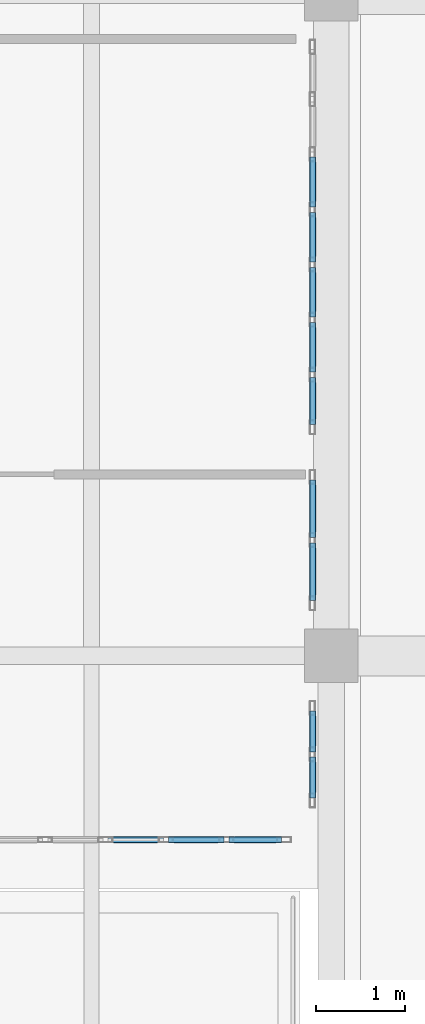
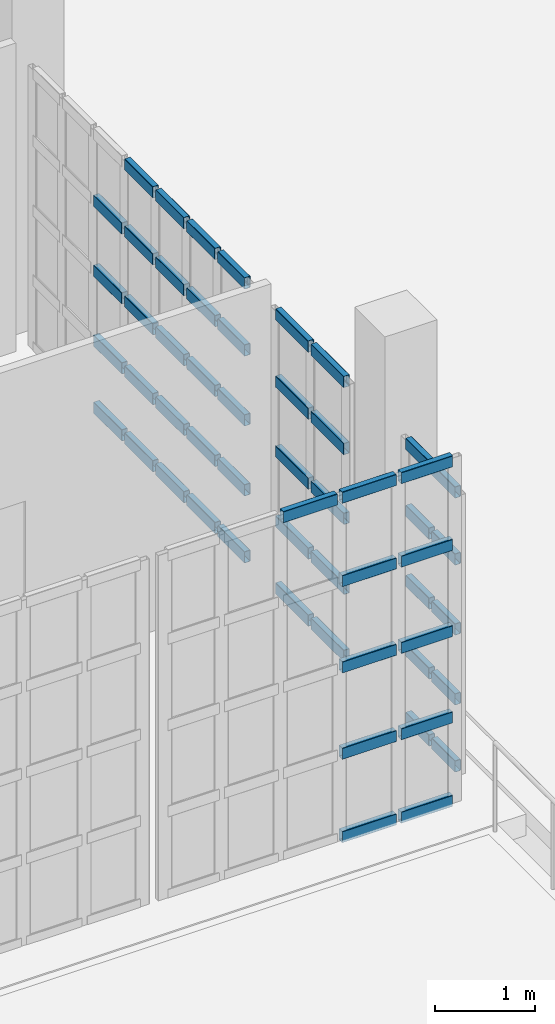
# One storey, part 42 of 73: 55 members, 4 elements without a shape of their own.
"""IFC4 building model written with IfcOpenShell, lengths in metres."""

from ifc_helpers import new_model, si_unit, direction, frame, origin, origin_2d, place, context, subcontext, project, spatial, hollow_rectangle, extrude, material, material_profile, profile_set, type_object, element, aggregate, save


model = new_model("IFC4")

# Units and contexts
model_context = context("Model", 3, precision=1e-05, world=origin(), true_north=direction((0.0, 1.0)))
body_context = subcontext(model_context, "Body", "Model", "MODEL_VIEW")
ifc_project = project(units=[si_unit("LENGTHUNIT", "METRE"), si_unit("AREAUNIT", "SQUARE_METRE"), si_unit("VOLUMEUNIT", "CUBIC_METRE"), si_unit("PLANEANGLEUNIT", "RADIAN"), si_unit("MASSUNIT", "GRAM", prefix="KILO")], contexts=[model_context])

# Site, building, storey
site_placement = place(None, origin())
site = spatial("IfcSite", under=ifc_project, at=site_placement, CompositionType="ELEMENT")
building_placement = place(site_placement, origin())
building = spatial("IfcBuilding", under=site, at=building_placement, Name="Kaelora Sail Theatre", CompositionType="ELEMENT")
storey_placement = place(building_placement, frame((0.0, 0.0, 10.199951171875)))
storey = spatial("IfcBuildingStorey", under=building, at=storey_placement, Name="L02", CompositionType="ELEMENT", Elevation=10.199951171875)

# Curtain wall, members
ifc_material_1 = material(Name="Anodised aluminium and solar-control low-E IGU", Category="aluminium")
curtain_wall_type = type_object("IfcCurtainWallType", Name="ARC-CW-CW-BRG", PredefinedType="NOTDEFINED", material=ifc_material_1)
curtain_wall_1_placement = place(storey_placement, origin())
curtain_wall_1 = element("IfcCurtainWall", 1, at=curtain_wall_1_placement, inside=storey, type_object=curtain_wall_type, Name="Glazed Foyer/Conservatory Curtain Wall FC2-S-L02-07", PredefinedType="NOTDEFINED")
ifc_material_2 = material(Name="Anodised aluminium 6063-T6", Category="aluminium")
ifc_material_profile = material_profile(ifc_material_2, hollow_rectangle(XDim=0.070068359375, YDim=0.139892578125, WallThickness=0.00390625, InnerFilletRadius=0.00390625, OuterFilletRadius=0.008056640625, at=origin_2d()), Name="ALU-TRAN 70x140x4")
ifc_profile_set = profile_set([ifc_material_profile], Name="Anodised aluminium 6063-T6")
member_type = type_object("IfcMemberType", Name="ARC-MEM-TR-140", PredefinedType="USERDEFINED", material=ifc_profile_set)
member_1_placement = place(storey_placement, frame((120.489990234375, 66.389892578125, 4.170166015625), z_axis=(1.0, 0.0, 0.0), x_axis=(0.0, 1.0, 0.0)))
member_1 = element("IfcMember", 2, at=member_1_placement, type_object=member_type, Name="CW-BRG transom 3.5", ObjectType="TRANSOM", PredefinedType="USERDEFINED", context=body_context, shape_type="SweptSolid", body=[
    extrude(hollow_rectangle(XDim=0.070068359375, YDim=0.139892578125, WallThickness=0.00390625, InnerFilletRadius=0.00390625, OuterFilletRadius=0.008056640625, at=origin_2d()), origin(), (0.0, 0.0, 1.0), 0.6201171875),
])
member_2_placement = place(storey_placement, frame((121.169921875, 66.389892578125, 0.03515625), z_axis=(1.0, 0.0, 0.0), x_axis=(0.0, 1.0, 0.0)))
member_2 = element("IfcMember", 3, at=member_2_placement, type_object=member_type, Name="CW-BRG transom 4.1", ObjectType="TRANSOM", PredefinedType="USERDEFINED", context=body_context, shape_type="SweptSolid", body=[
    extrude(hollow_rectangle(XDim=0.070068359375, YDim=0.139892578125, WallThickness=0.00390625, InnerFilletRadius=0.00390625, OuterFilletRadius=0.008056640625, at=origin_2d()), origin(), (0.0, 0.0, 1.0), 0.6201171875),
])
member_3_placement = place(storey_placement, frame((121.169921875, 66.389892578125, 1.05126953125), z_axis=(1.0, 0.0, 0.0), x_axis=(0.0, 1.0, 0.0)))
member_3 = element("IfcMember", 4, at=member_3_placement, type_object=member_type, Name="CW-BRG transom 4.2", ObjectType="TRANSOM", PredefinedType="USERDEFINED", context=body_context, shape_type="SweptSolid", body=[
    extrude(hollow_rectangle(XDim=0.070068359375, YDim=0.139892578125, WallThickness=0.00390625, InnerFilletRadius=0.00390625, OuterFilletRadius=0.008056640625, at=origin_2d()), origin(), (0.0, 0.0, 1.0), 0.6201171875),
])
member_4_placement = place(storey_placement, frame((121.169921875, 66.389892578125, 2.1025390625), z_axis=(1.0, 0.0, 0.0), x_axis=(0.0, 1.0, 0.0)))
member_4 = element("IfcMember", 5, at=member_4_placement, type_object=member_type, Name="CW-BRG transom 4.3", ObjectType="TRANSOM", PredefinedType="USERDEFINED", context=body_context, shape_type="SweptSolid", body=[
    extrude(hollow_rectangle(XDim=0.070068359375, YDim=0.139892578125, WallThickness=0.00390625, InnerFilletRadius=0.00390625, OuterFilletRadius=0.008056640625, at=origin_2d()), origin(), (0.0, 0.0, 1.0), 0.6201171875),
])
member_5_placement = place(storey_placement, frame((121.169921875, 66.389892578125, 3.15380859375), z_axis=(1.0, 0.0, 0.0), x_axis=(0.0, 1.0, 0.0)))
member_5 = element("IfcMember", 6, at=member_5_placement, type_object=member_type, Name="CW-BRG transom 4.4", ObjectType="TRANSOM", PredefinedType="USERDEFINED", context=body_context, shape_type="SweptSolid", body=[
    extrude(hollow_rectangle(XDim=0.070068359375, YDim=0.139892578125, WallThickness=0.00390625, InnerFilletRadius=0.00390625, OuterFilletRadius=0.008056640625, at=origin_2d()), origin(), (0.0, 0.0, 1.0), 0.6201171875),
])
member_6_placement = place(storey_placement, frame((121.169921875, 66.389892578125, 4.170166015625), z_axis=(1.0, 0.0, 0.0), x_axis=(0.0, 1.0, 0.0)))
member_6 = element("IfcMember", 7, at=member_6_placement, type_object=member_type, Name="CW-BRG transom 4.5", ObjectType="TRANSOM", PredefinedType="USERDEFINED", context=body_context, shape_type="SweptSolid", body=[
    extrude(hollow_rectangle(XDim=0.070068359375, YDim=0.139892578125, WallThickness=0.00390625, InnerFilletRadius=0.00390625, OuterFilletRadius=0.008056640625, at=origin_2d()), origin(), (0.0, 0.0, 1.0), 0.6201171875),
])
member_7_placement = place(storey_placement, frame((121.85009765625, 66.389892578125, 0.03515625), z_axis=(1.0, 0.0, 0.0), x_axis=(0.0, 1.0, 0.0)))
member_7 = element("IfcMember", 8, at=member_7_placement, type_object=member_type, Name="CW-BRG transom 5.1", ObjectType="TRANSOM", PredefinedType="USERDEFINED", context=body_context, shape_type="SweptSolid", body=[
    extrude(hollow_rectangle(XDim=0.070068359375, YDim=0.139892578125, WallThickness=0.00390625, InnerFilletRadius=0.00390625, OuterFilletRadius=0.008056640625, at=origin_2d()), origin(), (0.0, 0.0, 1.0), 0.58984375),
])
member_8_placement = place(storey_placement, frame((121.85009765625, 66.389892578125, 1.05126953125), z_axis=(1.0, 0.0, 0.0), x_axis=(0.0, 1.0, 0.0)))
member_8 = element("IfcMember", 9, at=member_8_placement, type_object=member_type, Name="CW-BRG transom 5.2", ObjectType="TRANSOM", PredefinedType="USERDEFINED", context=body_context, shape_type="SweptSolid", body=[
    extrude(hollow_rectangle(XDim=0.070068359375, YDim=0.139892578125, WallThickness=0.00390625, InnerFilletRadius=0.00390625, OuterFilletRadius=0.008056640625, at=origin_2d()), origin(), (0.0, 0.0, 1.0), 0.58984375),
])
member_9_placement = place(storey_placement, frame((121.85009765625, 66.389892578125, 2.1025390625), z_axis=(1.0, 0.0, 0.0), x_axis=(0.0, 1.0, 0.0)))
member_9 = element("IfcMember", 10, at=member_9_placement, type_object=member_type, Name="CW-BRG transom 5.3", ObjectType="TRANSOM", PredefinedType="USERDEFINED", context=body_context, shape_type="SweptSolid", body=[
    extrude(hollow_rectangle(XDim=0.070068359375, YDim=0.139892578125, WallThickness=0.00390625, InnerFilletRadius=0.00390625, OuterFilletRadius=0.008056640625, at=origin_2d()), origin(), (0.0, 0.0, 1.0), 0.58984375),
])
member_10_placement = place(storey_placement, frame((121.85009765625, 66.389892578125, 3.15380859375), z_axis=(1.0, 0.0, 0.0), x_axis=(0.0, 1.0, 0.0)))
member_10 = element("IfcMember", 11, at=member_10_placement, type_object=member_type, Name="CW-BRG transom 5.4", ObjectType="TRANSOM", PredefinedType="USERDEFINED", context=body_context, shape_type="SweptSolid", body=[
    extrude(hollow_rectangle(XDim=0.070068359375, YDim=0.139892578125, WallThickness=0.00390625, InnerFilletRadius=0.00390625, OuterFilletRadius=0.008056640625, at=origin_2d()), origin(), (0.0, 0.0, 1.0), 0.58984375),
])
member_11_placement = place(storey_placement, frame((121.85009765625, 66.389892578125, 4.170166015625), z_axis=(1.0, 0.0, 0.0), x_axis=(0.0, 1.0, 0.0)))
member_11 = element("IfcMember", 12, at=member_11_placement, type_object=member_type, Name="CW-BRG transom 5.5", ObjectType="TRANSOM", PredefinedType="USERDEFINED", context=body_context, shape_type="SweptSolid", body=[
    extrude(hollow_rectangle(XDim=0.070068359375, YDim=0.139892578125, WallThickness=0.00390625, InnerFilletRadius=0.00390625, OuterFilletRadius=0.008056640625, at=origin_2d()), origin(), (0.0, 0.0, 1.0), 0.58984375),
])
aggregate(curtain_wall_1, [member_1, member_2, member_3, member_4, member_5, member_6, member_7, member_8, member_9, member_10, member_11])

curtain_wall_2_placement = place(storey_placement, origin())
curtain_wall_2 = element("IfcCurtainWall", 13, at=curtain_wall_2_placement, inside=storey, type_object=curtain_wall_type, Name="Glazed Colonnade/Courtyard Curtain Wall FC2-STEP-E-L02-01", PredefinedType="NOTDEFINED")
member_12_placement = place(storey_placement, frame((122.7900390625, 66.860107421875, 0.03515625), z_axis=(0.0, 1.0, 0.0), x_axis=(-1.0, 0.0, 0.0)))
member_12 = element("IfcMember", 14, at=member_12_placement, type_object=member_type, Name="CW-BRG transom 1.1", ObjectType="TRANSOM", PredefinedType="USERDEFINED", context=body_context, shape_type="SweptSolid", body=[
    extrude(hollow_rectangle(XDim=0.070068359375, YDim=0.139892578125, WallThickness=0.00390625, InnerFilletRadius=0.00390625, OuterFilletRadius=0.008056640625, at=origin_2d()), origin(), (0.0, 0.0, 1.0), 0.4599609375),
])
member_13_placement = place(storey_placement, frame((122.7900390625, 66.860107421875, 0.851806640625), z_axis=(0.0, 1.0, 0.0), x_axis=(-1.0, 0.0, 0.0)))
member_13 = element("IfcMember", 15, at=member_13_placement, type_object=member_type, Name="CW-BRG transom 1.2", ObjectType="TRANSOM", PredefinedType="USERDEFINED", context=body_context, shape_type="SweptSolid", body=[
    extrude(hollow_rectangle(XDim=0.070068359375, YDim=0.139892578125, WallThickness=0.00390625, InnerFilletRadius=0.00390625, OuterFilletRadius=0.008056640625, at=origin_2d()), origin(), (0.0, 0.0, 1.0), 0.4599609375),
])
member_14_placement = place(storey_placement, frame((122.7900390625, 66.860107421875, 1.70361328125), z_axis=(0.0, 1.0, 0.0), x_axis=(-1.0, 0.0, 0.0)))
member_14 = element("IfcMember", 16, at=member_14_placement, type_object=member_type, Name="CW-BRG transom 1.3", ObjectType="TRANSOM", PredefinedType="USERDEFINED", context=body_context, shape_type="SweptSolid", body=[
    extrude(hollow_rectangle(XDim=0.070068359375, YDim=0.139892578125, WallThickness=0.00390625, InnerFilletRadius=0.00390625, OuterFilletRadius=0.008056640625, at=origin_2d()), origin(), (0.0, 0.0, 1.0), 0.4599609375),
])
member_15_placement = place(storey_placement, frame((122.7900390625, 66.860107421875, 2.555419921875), z_axis=(0.0, 1.0, 0.0), x_axis=(-1.0, 0.0, 0.0)))
member_15 = element("IfcMember", 17, at=member_15_placement, type_object=member_type, Name="CW-BRG transom 1.4", ObjectType="TRANSOM", PredefinedType="USERDEFINED", context=body_context, shape_type="SweptSolid", body=[
    extrude(hollow_rectangle(XDim=0.070068359375, YDim=0.139892578125, WallThickness=0.00390625, InnerFilletRadius=0.00390625, OuterFilletRadius=0.008056640625, at=origin_2d()), origin(), (0.0, 0.0, 1.0), 0.4599609375),
])
member_16_placement = place(storey_placement, frame((122.7900390625, 66.860107421875, 3.3720703125), z_axis=(0.0, 1.0, 0.0), x_axis=(-1.0, 0.0, 0.0)))
member_16 = element("IfcMember", 18, at=member_16_placement, type_object=member_type, Name="CW-BRG transom 1.5", ObjectType="TRANSOM", PredefinedType="USERDEFINED", context=body_context, shape_type="SweptSolid", body=[
    extrude(hollow_rectangle(XDim=0.070068359375, YDim=0.139892578125, WallThickness=0.00390625, InnerFilletRadius=0.00390625, OuterFilletRadius=0.008056640625, at=origin_2d()), origin(), (0.0, 0.0, 1.0), 0.4599609375),
])
member_17_placement = place(storey_placement, frame((122.7900390625, 67.3798828125, 0.03515625), z_axis=(0.0, 1.0, 0.0), x_axis=(-1.0, 0.0, 0.0)))
member_17 = element("IfcMember", 19, at=member_17_placement, type_object=member_type, Name="CW-BRG transom 2.1", ObjectType="TRANSOM", PredefinedType="USERDEFINED", context=body_context, shape_type="SweptSolid", body=[
    extrude(hollow_rectangle(XDim=0.070068359375, YDim=0.139892578125, WallThickness=0.00390625, InnerFilletRadius=0.00390625, OuterFilletRadius=0.008056640625, at=origin_2d()), origin(), (0.0, 0.0, 1.0), 0.460205078125),
])
member_18_placement = place(storey_placement, frame((122.7900390625, 67.3798828125, 0.851806640625), z_axis=(0.0, 1.0, 0.0), x_axis=(-1.0, 0.0, 0.0)))
member_18 = element("IfcMember", 20, at=member_18_placement, type_object=member_type, Name="CW-BRG transom 2.2", ObjectType="TRANSOM", PredefinedType="USERDEFINED", context=body_context, shape_type="SweptSolid", body=[
    extrude(hollow_rectangle(XDim=0.070068359375, YDim=0.139892578125, WallThickness=0.00390625, InnerFilletRadius=0.00390625, OuterFilletRadius=0.008056640625, at=origin_2d()), origin(), (0.0, 0.0, 1.0), 0.460205078125),
])
member_19_placement = place(storey_placement, frame((122.7900390625, 67.3798828125, 1.70361328125), z_axis=(0.0, 1.0, 0.0), x_axis=(-1.0, 0.0, 0.0)))
member_19 = element("IfcMember", 21, at=member_19_placement, type_object=member_type, Name="CW-BRG transom 2.3", ObjectType="TRANSOM", PredefinedType="USERDEFINED", context=body_context, shape_type="SweptSolid", body=[
    extrude(hollow_rectangle(XDim=0.070068359375, YDim=0.139892578125, WallThickness=0.00390625, InnerFilletRadius=0.00390625, OuterFilletRadius=0.008056640625, at=origin_2d()), origin(), (0.0, 0.0, 1.0), 0.460205078125),
])
member_20_placement = place(storey_placement, frame((122.7900390625, 67.3798828125, 2.555419921875), z_axis=(0.0, 1.0, 0.0), x_axis=(-1.0, 0.0, 0.0)))
member_20 = element("IfcMember", 22, at=member_20_placement, type_object=member_type, Name="CW-BRG transom 2.4", ObjectType="TRANSOM", PredefinedType="USERDEFINED", context=body_context, shape_type="SweptSolid", body=[
    extrude(hollow_rectangle(XDim=0.070068359375, YDim=0.139892578125, WallThickness=0.00390625, InnerFilletRadius=0.00390625, OuterFilletRadius=0.008056640625, at=origin_2d()), origin(), (0.0, 0.0, 1.0), 0.460205078125),
])
member_21_placement = place(storey_placement, frame((122.7900390625, 67.3798828125, 3.3720703125), z_axis=(0.0, 1.0, 0.0), x_axis=(-1.0, 0.0, 0.0)))
member_21 = element("IfcMember", 23, at=member_21_placement, type_object=member_type, Name="CW-BRG transom 2.5", ObjectType="TRANSOM", PredefinedType="USERDEFINED", context=body_context, shape_type="SweptSolid", body=[
    extrude(hollow_rectangle(XDim=0.070068359375, YDim=0.139892578125, WallThickness=0.00390625, InnerFilletRadius=0.00390625, OuterFilletRadius=0.008056640625, at=origin_2d()), origin(), (0.0, 0.0, 1.0), 0.460205078125),
])
aggregate(curtain_wall_2, [member_12, member_13, member_14, member_15, member_16, member_17, member_18, member_19, member_20, member_21])

curtain_wall_3_placement = place(storey_placement, origin())
curtain_wall_3 = element("IfcCurtainWall", 24, at=curtain_wall_3_placement, inside=storey, type_object=curtain_wall_type, Name="Glazed Colonnade/Courtyard Curtain Wall FC2-STEP-E-L02-01", PredefinedType="NOTDEFINED")
member_22_placement = place(storey_placement, frame((122.7900390625, 69.080078125, 0.03515625), z_axis=(0.0, 1.0, 0.0), x_axis=(-1.0, 0.0, 0.0)))
member_22 = element("IfcMember", 25, at=member_22_placement, type_object=member_type, Name="CW-BRG transom 1.1", ObjectType="TRANSOM", PredefinedType="USERDEFINED", context=body_context, shape_type="SweptSolid", body=[
    extrude(hollow_rectangle(XDim=0.070068359375, YDim=0.139892578125, WallThickness=0.00390625, InnerFilletRadius=0.00390625, OuterFilletRadius=0.008056640625, at=origin_2d()), origin(), (0.0, 0.0, 1.0), 0.64990234375),
])
member_23_placement = place(storey_placement, frame((122.7900390625, 69.080078125, 0.851806640625), z_axis=(0.0, 1.0, 0.0), x_axis=(-1.0, 0.0, 0.0)))
member_23 = element("IfcMember", 26, at=member_23_placement, type_object=member_type, Name="CW-BRG transom 1.2", ObjectType="TRANSOM", PredefinedType="USERDEFINED", context=body_context, shape_type="SweptSolid", body=[
    extrude(hollow_rectangle(XDim=0.070068359375, YDim=0.139892578125, WallThickness=0.00390625, InnerFilletRadius=0.00390625, OuterFilletRadius=0.008056640625, at=origin_2d()), origin(), (0.0, 0.0, 1.0), 0.64990234375),
])
member_24_placement = place(storey_placement, frame((122.7900390625, 69.080078125, 1.70361328125), z_axis=(0.0, 1.0, 0.0), x_axis=(-1.0, 0.0, 0.0)))
member_24 = element("IfcMember", 27, at=member_24_placement, type_object=member_type, Name="CW-BRG transom 1.3", ObjectType="TRANSOM", PredefinedType="USERDEFINED", context=body_context, shape_type="SweptSolid", body=[
    extrude(hollow_rectangle(XDim=0.070068359375, YDim=0.139892578125, WallThickness=0.00390625, InnerFilletRadius=0.00390625, OuterFilletRadius=0.008056640625, at=origin_2d()), origin(), (0.0, 0.0, 1.0), 0.64990234375),
])
member_25_placement = place(storey_placement, frame((122.7900390625, 69.080078125, 2.555419921875), z_axis=(0.0, 1.0, 0.0), x_axis=(-1.0, 0.0, 0.0)))
member_25 = element("IfcMember", 28, at=member_25_placement, type_object=member_type, Name="CW-BRG transom 1.4", ObjectType="TRANSOM", PredefinedType="USERDEFINED", context=body_context, shape_type="SweptSolid", body=[
    extrude(hollow_rectangle(XDim=0.070068359375, YDim=0.139892578125, WallThickness=0.00390625, InnerFilletRadius=0.00390625, OuterFilletRadius=0.008056640625, at=origin_2d()), origin(), (0.0, 0.0, 1.0), 0.64990234375),
])
member_26_placement = place(storey_placement, frame((122.7900390625, 69.080078125, 3.3720703125), z_axis=(0.0, 1.0, 0.0), x_axis=(-1.0, 0.0, 0.0)))
member_26 = element("IfcMember", 29, at=member_26_placement, type_object=member_type, Name="CW-BRG transom 1.5", ObjectType="TRANSOM", PredefinedType="USERDEFINED", context=body_context, shape_type="SweptSolid", body=[
    extrude(hollow_rectangle(XDim=0.070068359375, YDim=0.139892578125, WallThickness=0.00390625, InnerFilletRadius=0.00390625, OuterFilletRadius=0.008056640625, at=origin_2d()), origin(), (0.0, 0.0, 1.0), 0.64990234375),
])
member_27_placement = place(storey_placement, frame((122.7900390625, 69.7900390625, 0.03515625), z_axis=(0.0, 1.0, 0.0), x_axis=(-1.0, 0.0, 0.0)))
member_27 = element("IfcMember", 30, at=member_27_placement, type_object=member_type, Name="CW-BRG transom 2.1", ObjectType="TRANSOM", PredefinedType="USERDEFINED", context=body_context, shape_type="SweptSolid", body=[
    extrude(hollow_rectangle(XDim=0.070068359375, YDim=0.139892578125, WallThickness=0.00390625, InnerFilletRadius=0.00390625, OuterFilletRadius=0.008056640625, at=origin_2d()), origin(), (0.0, 0.0, 1.0), 0.64990234375),
])
member_28_placement = place(storey_placement, frame((122.7900390625, 69.7900390625, 0.851806640625), z_axis=(0.0, 1.0, 0.0), x_axis=(-1.0, 0.0, 0.0)))
member_28 = element("IfcMember", 31, at=member_28_placement, type_object=member_type, Name="CW-BRG transom 2.2", ObjectType="TRANSOM", PredefinedType="USERDEFINED", context=body_context, shape_type="SweptSolid", body=[
    extrude(hollow_rectangle(XDim=0.070068359375, YDim=0.139892578125, WallThickness=0.00390625, InnerFilletRadius=0.00390625, OuterFilletRadius=0.008056640625, at=origin_2d()), origin(), (0.0, 0.0, 1.0), 0.64990234375),
])
member_29_placement = place(storey_placement, frame((122.7900390625, 69.7900390625, 1.70361328125), z_axis=(0.0, 1.0, 0.0), x_axis=(-1.0, 0.0, 0.0)))
member_29 = element("IfcMember", 32, at=member_29_placement, type_object=member_type, Name="CW-BRG transom 2.3", ObjectType="TRANSOM", PredefinedType="USERDEFINED", context=body_context, shape_type="SweptSolid", body=[
    extrude(hollow_rectangle(XDim=0.070068359375, YDim=0.139892578125, WallThickness=0.00390625, InnerFilletRadius=0.00390625, OuterFilletRadius=0.008056640625, at=origin_2d()), origin(), (0.0, 0.0, 1.0), 0.64990234375),
])
member_30_placement = place(storey_placement, frame((122.7900390625, 69.7900390625, 2.555419921875), z_axis=(0.0, 1.0, 0.0), x_axis=(-1.0, 0.0, 0.0)))
member_30 = element("IfcMember", 33, at=member_30_placement, type_object=member_type, Name="CW-BRG transom 2.4", ObjectType="TRANSOM", PredefinedType="USERDEFINED", context=body_context, shape_type="SweptSolid", body=[
    extrude(hollow_rectangle(XDim=0.070068359375, YDim=0.139892578125, WallThickness=0.00390625, InnerFilletRadius=0.00390625, OuterFilletRadius=0.008056640625, at=origin_2d()), origin(), (0.0, 0.0, 1.0), 0.64990234375),
])
member_31_placement = place(storey_placement, frame((122.7900390625, 69.7900390625, 3.3720703125), z_axis=(0.0, 1.0, 0.0), x_axis=(-1.0, 0.0, 0.0)))
member_31 = element("IfcMember", 34, at=member_31_placement, type_object=member_type, Name="CW-BRG transom 2.5", ObjectType="TRANSOM", PredefinedType="USERDEFINED", context=body_context, shape_type="SweptSolid", body=[
    extrude(hollow_rectangle(XDim=0.070068359375, YDim=0.139892578125, WallThickness=0.00390625, InnerFilletRadius=0.00390625, OuterFilletRadius=0.008056640625, at=origin_2d()), origin(), (0.0, 0.0, 1.0), 0.64990234375),
])
aggregate(curtain_wall_3, [member_22, member_23, member_24, member_25, member_26, member_27, member_28, member_29, member_30, member_31])

curtain_wall_4_placement = place(storey_placement, origin())
curtain_wall_4 = element("IfcCurtainWall", 35, at=curtain_wall_4_placement, inside=storey, type_object=curtain_wall_type, Name="Glazed Colonnade/Courtyard Curtain Wall FC2-STEP-E-L02-02", PredefinedType="NOTDEFINED")
member_32_placement = place(storey_placement, frame((122.7900390625, 71.06005859375, 0.03515625), z_axis=(0.0, 1.0, 0.0), x_axis=(-1.0, 0.0, 0.0)))
member_32 = element("IfcMember", 36, at=member_32_placement, type_object=member_type, Name="CW-BRG transom 1.1", ObjectType="TRANSOM", PredefinedType="USERDEFINED", context=body_context, shape_type="SweptSolid", body=[
    extrude(hollow_rectangle(XDim=0.070068359375, YDim=0.139892578125, WallThickness=0.00390625, InnerFilletRadius=0.00390625, OuterFilletRadius=0.008056640625, at=origin_2d()), origin(), (0.0, 0.0, 1.0), 0.530029296875),
])
member_33_placement = place(storey_placement, frame((122.7900390625, 71.06005859375, 0.851806640625), z_axis=(0.0, 1.0, 0.0), x_axis=(-1.0, 0.0, 0.0)))
member_33 = element("IfcMember", 37, at=member_33_placement, type_object=member_type, Name="CW-BRG transom 1.2", ObjectType="TRANSOM", PredefinedType="USERDEFINED", context=body_context, shape_type="SweptSolid", body=[
    extrude(hollow_rectangle(XDim=0.070068359375, YDim=0.139892578125, WallThickness=0.00390625, InnerFilletRadius=0.00390625, OuterFilletRadius=0.008056640625, at=origin_2d()), origin(), (0.0, 0.0, 1.0), 0.530029296875),
])
member_34_placement = place(storey_placement, frame((122.7900390625, 71.06005859375, 1.70361328125), z_axis=(0.0, 1.0, 0.0), x_axis=(-1.0, 0.0, 0.0)))
member_34 = element("IfcMember", 38, at=member_34_placement, type_object=member_type, Name="CW-BRG transom 1.3", ObjectType="TRANSOM", PredefinedType="USERDEFINED", context=body_context, shape_type="SweptSolid", body=[
    extrude(hollow_rectangle(XDim=0.070068359375, YDim=0.139892578125, WallThickness=0.00390625, InnerFilletRadius=0.00390625, OuterFilletRadius=0.008056640625, at=origin_2d()), origin(), (0.0, 0.0, 1.0), 0.530029296875),
])
member_35_placement = place(storey_placement, frame((122.7900390625, 71.06005859375, 2.555419921875), z_axis=(0.0, 1.0, 0.0), x_axis=(-1.0, 0.0, 0.0)))
member_35 = element("IfcMember", 39, at=member_35_placement, type_object=member_type, Name="CW-BRG transom 1.4", ObjectType="TRANSOM", PredefinedType="USERDEFINED", context=body_context, shape_type="SweptSolid", body=[
    extrude(hollow_rectangle(XDim=0.070068359375, YDim=0.139892578125, WallThickness=0.00390625, InnerFilletRadius=0.00390625, OuterFilletRadius=0.008056640625, at=origin_2d()), origin(), (0.0, 0.0, 1.0), 0.530029296875),
])
member_36_placement = place(storey_placement, frame((122.7900390625, 71.06005859375, 3.3720703125), z_axis=(0.0, 1.0, 0.0), x_axis=(-1.0, 0.0, 0.0)))
member_36 = element("IfcMember", 40, at=member_36_placement, type_object=member_type, Name="CW-BRG transom 1.5", ObjectType="TRANSOM", PredefinedType="USERDEFINED", context=body_context, shape_type="SweptSolid", body=[
    extrude(hollow_rectangle(XDim=0.070068359375, YDim=0.139892578125, WallThickness=0.00390625, InnerFilletRadius=0.00390625, OuterFilletRadius=0.008056640625, at=origin_2d()), origin(), (0.0, 0.0, 1.0), 0.530029296875),
])
member_37_placement = place(storey_placement, frame((122.7900390625, 71.64990234375, 0.03515625), z_axis=(0.0, 1.0, 0.0), x_axis=(-1.0, 0.0, 0.0)))
member_37 = element("IfcMember", 41, at=member_37_placement, type_object=member_type, Name="CW-BRG transom 2.1", ObjectType="TRANSOM", PredefinedType="USERDEFINED", context=body_context, shape_type="SweptSolid", body=[
    extrude(hollow_rectangle(XDim=0.070068359375, YDim=0.139892578125, WallThickness=0.00390625, InnerFilletRadius=0.00390625, OuterFilletRadius=0.008056640625, at=origin_2d()), origin(), (0.0, 0.0, 1.0), 0.56005859375),
])
member_38_placement = place(storey_placement, frame((122.7900390625, 71.64990234375, 0.851806640625), z_axis=(0.0, 1.0, 0.0), x_axis=(-1.0, 0.0, 0.0)))
member_38 = element("IfcMember", 42, at=member_38_placement, type_object=member_type, Name="CW-BRG transom 2.2", ObjectType="TRANSOM", PredefinedType="USERDEFINED", context=body_context, shape_type="SweptSolid", body=[
    extrude(hollow_rectangle(XDim=0.070068359375, YDim=0.139892578125, WallThickness=0.00390625, InnerFilletRadius=0.00390625, OuterFilletRadius=0.008056640625, at=origin_2d()), origin(), (0.0, 0.0, 1.0), 0.56005859375),
])
member_39_placement = place(storey_placement, frame((122.7900390625, 71.64990234375, 1.70361328125), z_axis=(0.0, 1.0, 0.0), x_axis=(-1.0, 0.0, 0.0)))
member_39 = element("IfcMember", 43, at=member_39_placement, type_object=member_type, Name="CW-BRG transom 2.3", ObjectType="TRANSOM", PredefinedType="USERDEFINED", context=body_context, shape_type="SweptSolid", body=[
    extrude(hollow_rectangle(XDim=0.070068359375, YDim=0.139892578125, WallThickness=0.00390625, InnerFilletRadius=0.00390625, OuterFilletRadius=0.008056640625, at=origin_2d()), origin(), (0.0, 0.0, 1.0), 0.56005859375),
])
member_40_placement = place(storey_placement, frame((122.7900390625, 71.64990234375, 2.555419921875), z_axis=(0.0, 1.0, 0.0), x_axis=(-1.0, 0.0, 0.0)))
member_40 = element("IfcMember", 44, at=member_40_placement, type_object=member_type, Name="CW-BRG transom 2.4", ObjectType="TRANSOM", PredefinedType="USERDEFINED", context=body_context, shape_type="SweptSolid", body=[
    extrude(hollow_rectangle(XDim=0.070068359375, YDim=0.139892578125, WallThickness=0.00390625, InnerFilletRadius=0.00390625, OuterFilletRadius=0.008056640625, at=origin_2d()), origin(), (0.0, 0.0, 1.0), 0.56005859375),
])
member_41_placement = place(storey_placement, frame((122.7900390625, 71.64990234375, 3.3720703125), z_axis=(0.0, 1.0, 0.0), x_axis=(-1.0, 0.0, 0.0)))
member_41 = element("IfcMember", 45, at=member_41_placement, type_object=member_type, Name="CW-BRG transom 2.5", ObjectType="TRANSOM", PredefinedType="USERDEFINED", context=body_context, shape_type="SweptSolid", body=[
    extrude(hollow_rectangle(XDim=0.070068359375, YDim=0.139892578125, WallThickness=0.00390625, InnerFilletRadius=0.00390625, OuterFilletRadius=0.008056640625, at=origin_2d()), origin(), (0.0, 0.0, 1.0), 0.56005859375),
])
member_42_placement = place(storey_placement, frame((122.7900390625, 72.27001953125, 0.03515625), z_axis=(0.0, 1.0, 0.0), x_axis=(-1.0, 0.0, 0.0)))
member_42 = element("IfcMember", 46, at=member_42_placement, type_object=member_type, Name="CW-BRG transom 3.1", ObjectType="TRANSOM", PredefinedType="USERDEFINED", context=body_context, shape_type="SweptSolid", body=[
    extrude(hollow_rectangle(XDim=0.070068359375, YDim=0.139892578125, WallThickness=0.00390625, InnerFilletRadius=0.00390625, OuterFilletRadius=0.008056640625, at=origin_2d()), origin(), (0.0, 0.0, 1.0), 0.56005859375),
])
member_43_placement = place(storey_placement, frame((122.7900390625, 72.27001953125, 0.851806640625), z_axis=(0.0, 1.0, 0.0), x_axis=(-1.0, 0.0, 0.0)))
member_43 = element("IfcMember", 47, at=member_43_placement, type_object=member_type, Name="CW-BRG transom 3.2", ObjectType="TRANSOM", PredefinedType="USERDEFINED", context=body_context, shape_type="SweptSolid", body=[
    extrude(hollow_rectangle(XDim=0.070068359375, YDim=0.139892578125, WallThickness=0.00390625, InnerFilletRadius=0.00390625, OuterFilletRadius=0.008056640625, at=origin_2d()), origin(), (0.0, 0.0, 1.0), 0.56005859375),
])
member_44_placement = place(storey_placement, frame((122.7900390625, 72.27001953125, 1.70361328125), z_axis=(0.0, 1.0, 0.0), x_axis=(-1.0, 0.0, 0.0)))
member_44 = element("IfcMember", 48, at=member_44_placement, type_object=member_type, Name="CW-BRG transom 3.3", ObjectType="TRANSOM", PredefinedType="USERDEFINED", context=body_context, shape_type="SweptSolid", body=[
    extrude(hollow_rectangle(XDim=0.070068359375, YDim=0.139892578125, WallThickness=0.00390625, InnerFilletRadius=0.00390625, OuterFilletRadius=0.008056640625, at=origin_2d()), origin(), (0.0, 0.0, 1.0), 0.56005859375),
])
member_45_placement = place(storey_placement, frame((122.7900390625, 72.27001953125, 2.555419921875), z_axis=(0.0, 1.0, 0.0), x_axis=(-1.0, 0.0, 0.0)))
member_45 = element("IfcMember", 49, at=member_45_placement, type_object=member_type, Name="CW-BRG transom 3.4", ObjectType="TRANSOM", PredefinedType="USERDEFINED", context=body_context, shape_type="SweptSolid", body=[
    extrude(hollow_rectangle(XDim=0.070068359375, YDim=0.139892578125, WallThickness=0.00390625, InnerFilletRadius=0.00390625, OuterFilletRadius=0.008056640625, at=origin_2d()), origin(), (0.0, 0.0, 1.0), 0.56005859375),
])
member_46_placement = place(storey_placement, frame((122.7900390625, 72.27001953125, 3.3720703125), z_axis=(0.0, 1.0, 0.0), x_axis=(-1.0, 0.0, 0.0)))
member_46 = element("IfcMember", 50, at=member_46_placement, type_object=member_type, Name="CW-BRG transom 3.5", ObjectType="TRANSOM", PredefinedType="USERDEFINED", context=body_context, shape_type="SweptSolid", body=[
    extrude(hollow_rectangle(XDim=0.070068359375, YDim=0.139892578125, WallThickness=0.00390625, InnerFilletRadius=0.00390625, OuterFilletRadius=0.008056640625, at=origin_2d()), origin(), (0.0, 0.0, 1.0), 0.56005859375),
])
member_47_placement = place(storey_placement, frame((122.7900390625, 72.889892578125, 0.03515625), z_axis=(0.0, 1.0, 0.0), x_axis=(-1.0, 0.0, 0.0)))
member_47 = element("IfcMember", 51, at=member_47_placement, type_object=member_type, Name="CW-BRG transom 4.1", ObjectType="TRANSOM", PredefinedType="USERDEFINED", context=body_context, shape_type="SweptSolid", body=[
    extrude(hollow_rectangle(XDim=0.070068359375, YDim=0.139892578125, WallThickness=0.00390625, InnerFilletRadius=0.00390625, OuterFilletRadius=0.008056640625, at=origin_2d()), origin(), (0.0, 0.0, 1.0), 0.56005859375),
])
member_48_placement = place(storey_placement, frame((122.7900390625, 72.889892578125, 0.851806640625), z_axis=(0.0, 1.0, 0.0), x_axis=(-1.0, 0.0, 0.0)))
member_48 = element("IfcMember", 52, at=member_48_placement, type_object=member_type, Name="CW-BRG transom 4.2", ObjectType="TRANSOM", PredefinedType="USERDEFINED", context=body_context, shape_type="SweptSolid", body=[
    extrude(hollow_rectangle(XDim=0.070068359375, YDim=0.139892578125, WallThickness=0.00390625, InnerFilletRadius=0.00390625, OuterFilletRadius=0.008056640625, at=origin_2d()), origin(), (0.0, 0.0, 1.0), 0.56005859375),
])
member_49_placement = place(storey_placement, frame((122.7900390625, 72.889892578125, 1.70361328125), z_axis=(0.0, 1.0, 0.0), x_axis=(-1.0, 0.0, 0.0)))
member_49 = element("IfcMember", 53, at=member_49_placement, type_object=member_type, Name="CW-BRG transom 4.3", ObjectType="TRANSOM", PredefinedType="USERDEFINED", context=body_context, shape_type="SweptSolid", body=[
    extrude(hollow_rectangle(XDim=0.070068359375, YDim=0.139892578125, WallThickness=0.00390625, InnerFilletRadius=0.00390625, OuterFilletRadius=0.008056640625, at=origin_2d()), origin(), (0.0, 0.0, 1.0), 0.56005859375),
])
member_50_placement = place(storey_placement, frame((122.7900390625, 72.889892578125, 2.555419921875), z_axis=(0.0, 1.0, 0.0), x_axis=(-1.0, 0.0, 0.0)))
member_50 = element("IfcMember", 54, at=member_50_placement, type_object=member_type, Name="CW-BRG transom 4.4", ObjectType="TRANSOM", PredefinedType="USERDEFINED", context=body_context, shape_type="SweptSolid", body=[
    extrude(hollow_rectangle(XDim=0.070068359375, YDim=0.139892578125, WallThickness=0.00390625, InnerFilletRadius=0.00390625, OuterFilletRadius=0.008056640625, at=origin_2d()), origin(), (0.0, 0.0, 1.0), 0.56005859375),
])
member_51_placement = place(storey_placement, frame((122.7900390625, 72.889892578125, 3.3720703125), z_axis=(0.0, 1.0, 0.0), x_axis=(-1.0, 0.0, 0.0)))
member_51 = element("IfcMember", 55, at=member_51_placement, type_object=member_type, Name="CW-BRG transom 4.5", ObjectType="TRANSOM", PredefinedType="USERDEFINED", context=body_context, shape_type="SweptSolid", body=[
    extrude(hollow_rectangle(XDim=0.070068359375, YDim=0.139892578125, WallThickness=0.00390625, InnerFilletRadius=0.00390625, OuterFilletRadius=0.008056640625, at=origin_2d()), origin(), (0.0, 0.0, 1.0), 0.56005859375),
])
member_52_placement = place(storey_placement, frame((122.7900390625, 73.510009765625, 0.03515625), z_axis=(0.0, 1.0, 0.0), x_axis=(-1.0, 0.0, 0.0)))
member_52 = element("IfcMember", 56, at=member_52_placement, type_object=member_type, Name="CW-BRG transom 5.1", ObjectType="TRANSOM", PredefinedType="USERDEFINED", context=body_context, shape_type="SweptSolid", body=[
    extrude(hollow_rectangle(XDim=0.070068359375, YDim=0.139892578125, WallThickness=0.00390625, InnerFilletRadius=0.00390625, OuterFilletRadius=0.008056640625, at=origin_2d()), origin(), (0.0, 0.0, 1.0), 0.56005859375),
])
member_53_placement = place(storey_placement, frame((122.7900390625, 73.510009765625, 0.851806640625), z_axis=(0.0, 1.0, 0.0), x_axis=(-1.0, 0.0, 0.0)))
member_53 = element("IfcMember", 57, at=member_53_placement, type_object=member_type, Name="CW-BRG transom 5.2", ObjectType="TRANSOM", PredefinedType="USERDEFINED", context=body_context, shape_type="SweptSolid", body=[
    extrude(hollow_rectangle(XDim=0.070068359375, YDim=0.139892578125, WallThickness=0.00390625, InnerFilletRadius=0.00390625, OuterFilletRadius=0.008056640625, at=origin_2d()), origin(), (0.0, 0.0, 1.0), 0.56005859375),
])
member_54_placement = place(storey_placement, frame((122.7900390625, 73.510009765625, 1.70361328125), z_axis=(0.0, 1.0, 0.0), x_axis=(-1.0, 0.0, 0.0)))
member_54 = element("IfcMember", 58, at=member_54_placement, type_object=member_type, Name="CW-BRG transom 5.3", ObjectType="TRANSOM", PredefinedType="USERDEFINED", context=body_context, shape_type="SweptSolid", body=[
    extrude(hollow_rectangle(XDim=0.070068359375, YDim=0.139892578125, WallThickness=0.00390625, InnerFilletRadius=0.00390625, OuterFilletRadius=0.008056640625, at=origin_2d()), origin(), (0.0, 0.0, 1.0), 0.56005859375),
])
member_55_placement = place(storey_placement, frame((122.7900390625, 73.510009765625, 2.555419921875), z_axis=(0.0, 1.0, 0.0), x_axis=(-1.0, 0.0, 0.0)))
member_55 = element("IfcMember", 59, at=member_55_placement, type_object=member_type, Name="CW-BRG transom 5.4", ObjectType="TRANSOM", PredefinedType="USERDEFINED", context=body_context, shape_type="SweptSolid", body=[
    extrude(hollow_rectangle(XDim=0.070068359375, YDim=0.139892578125, WallThickness=0.00390625, InnerFilletRadius=0.00390625, OuterFilletRadius=0.008056640625, at=origin_2d()), origin(), (0.0, 0.0, 1.0), 0.56005859375),
])
aggregate(curtain_wall_4, [member_32, member_33, member_34, member_35, member_36, member_37, member_38, member_39, member_40, member_41, member_42, member_43, member_44, member_45, member_46, member_47, member_48, member_49, member_50, member_51, member_52, member_53, member_54, member_55])

save(model, "model.ifc")
